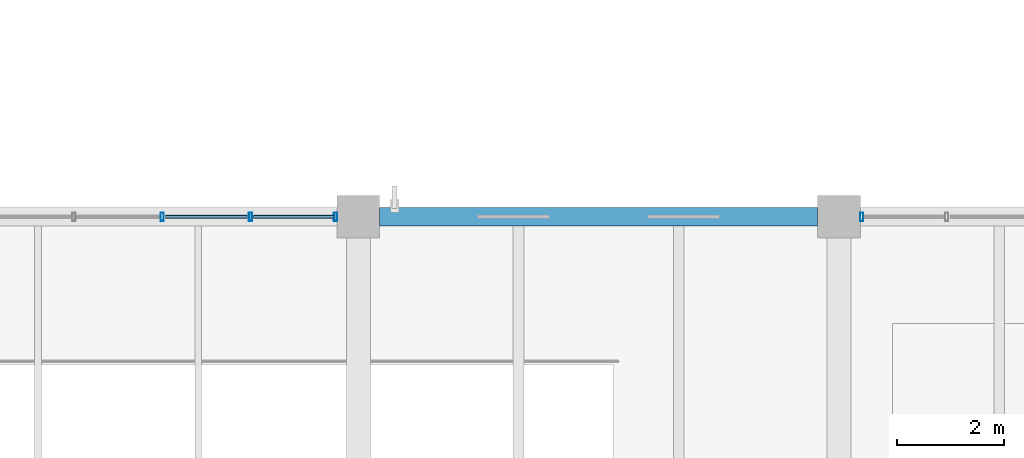
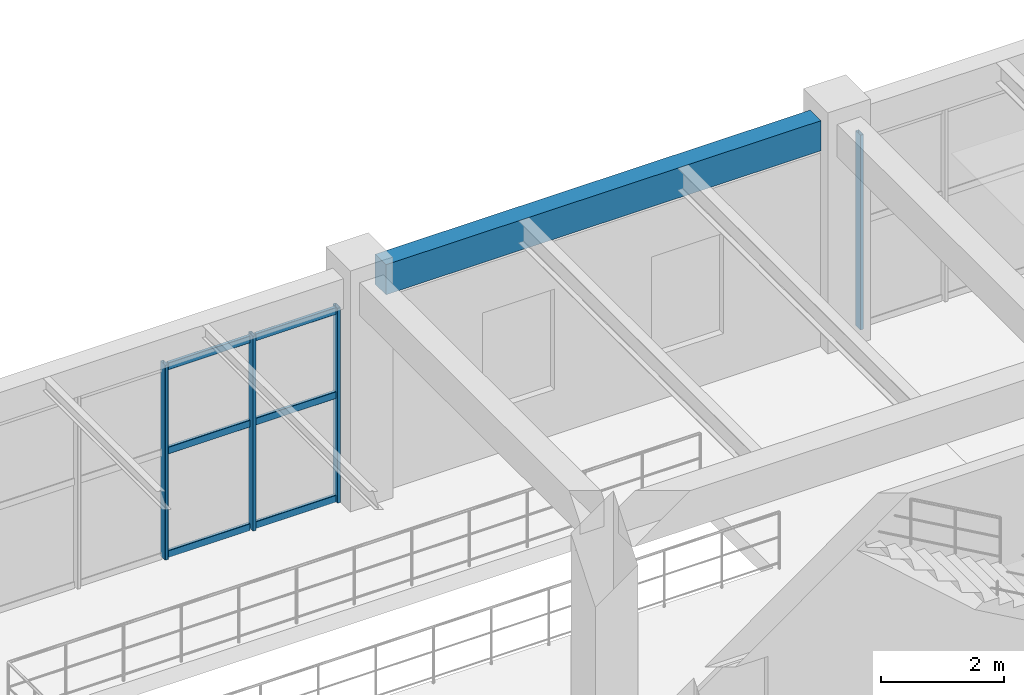
# One storey, part 52 of 178: 10 members, 1 beam, 2 elements without a shape of their own.
"""IFC4 building model written with IfcOpenShell, lengths in metres."""

from ifc_helpers import new_model, si_unit, derived_unit, direction, frame, origin, origin_2d, place, context, subcontext, project, spatial, rectangle, hollow_rectangle, extrude, material, material_profile, profile_set, type_object, element, aggregate, save


model = new_model("IFC4")

# Units and contexts
model_context = context("Model", 3, precision=1e-05, world=origin(), true_north=direction((0.0, 1.0)))
body_context = subcontext(model_context, "Body", "Model", "MODEL_VIEW")
ifc_project = project(units=[si_unit("LENGTHUNIT", "METRE"), si_unit("AREAUNIT", "SQUARE_METRE"), si_unit("VOLUMEUNIT", "CUBIC_METRE"), si_unit("PLANEANGLEUNIT", "RADIAN"), si_unit("MASSUNIT", "GRAM", prefix="KILO"), derived_unit("THERMALTRANSMITTANCEUNIT", [(si_unit("MASSUNIT", "GRAM", prefix="KILO"), 1), (si_unit("TIMEUNIT", "SECOND"), -3), (si_unit("THERMODYNAMICTEMPERATUREUNIT", "KELVIN"), -1)])], contexts=[model_context])

# Site, building, storey
site_placement = place(None, origin())
site = spatial("IfcSite", under=ifc_project, at=site_placement, CompositionType="ELEMENT")
building_placement = place(site_placement, origin())
building = spatial("IfcBuilding", under=site, at=building_placement, Name="Zhenchuan Archway Interchange", CompositionType="ELEMENT")
storey_placement = place(building_placement, frame((0.0, 0.0, 5.39990234375)))
storey = spatial("IfcBuildingStorey", under=building, at=storey_placement, Name="L01", CompositionType="ELEMENT", Elevation=5.39990234375)

# Curtain wall, members
ifc_material_1 = material(Name="Anodised Aluminium", Category="aluminium")
curtain_wall_type_1 = type_object("IfcCurtainWallType", Name="CW_UNIT_3", PredefinedType="NOTDEFINED", material=ifc_material_1)
curtain_wall_1_placement = place(storey_placement, origin())
curtain_wall_1 = element("IfcCurtainWall", 1, at=curtain_wall_1_placement, inside=storey, type_object=curtain_wall_type_1, Name="Unitised curtain wall CW:L01:102", PredefinedType="NOTDEFINED")
ifc_material_profile_1 = material_profile(ifc_material_1, hollow_rectangle(XDim=0.06005859375, YDim=0.159912109375, WallThickness=0.00390625, InnerFilletRadius=0.00390625, OuterFilletRadius=0.008056640625, at=origin_2d()), Name="ALU 160x60x4")
ifc_profile_set_1 = profile_set([ifc_material_profile_1], Name="Anodised Aluminium")
member_type_1 = type_object("IfcMemberType", Name="CW_MUL_150", PredefinedType="MULLION", material=ifc_profile_set_1)
member_1_placement = place(storey_placement, frame((113.326416015625, 24.0, 0.0), z_axis=(0.0, 0.0, 1.0), x_axis=(1.0, 0.0, 0.0)))
member_1 = element("IfcMember", 2, at=member_1_placement, type_object=member_type_1, Name="CW:L01:102 mullion 3", PredefinedType="MULLION", context=body_context, shape_type="SweptSolid", body=[
    extrude(hollow_rectangle(XDim=0.06005859375, YDim=0.159912109375, WallThickness=0.00390625, InnerFilletRadius=0.00390625, OuterFilletRadius=0.008056640625, at=origin_2d()), origin(), (0.0, 0.0, 1.0), 3.880126953125),
])
member_2_placement = place(storey_placement, frame((114.979248046875, 24.0, 0.0), z_axis=(0.0, 0.0, 1.0), x_axis=(1.0, 0.0, 0.0)))
member_2 = element("IfcMember", 3, at=member_2_placement, type_object=member_type_1, Name="CW:L01:102 mullion 4", PredefinedType="MULLION", context=body_context, shape_type="SweptSolid", body=[
    extrude(hollow_rectangle(XDim=0.06005859375, YDim=0.159912109375, WallThickness=0.00390625, InnerFilletRadius=0.00390625, OuterFilletRadius=0.008056640625, at=origin_2d()), origin(), (0.0, 0.0, 1.0), 3.880126953125),
])
member_3_placement = place(storey_placement, frame((116.572021484375, 24.0, 0.0), z_axis=(0.0, 0.0, 1.0), x_axis=(1.0, 0.0, 0.0)))
member_3 = element("IfcMember", 4, at=member_3_placement, type_object=member_type_1, Name="CW:L01:102 mullion 5", PredefinedType="MULLION", context=body_context, shape_type="SweptSolid", body=[
    extrude(hollow_rectangle(XDim=0.06005859375, YDim=0.159912109375, WallThickness=0.00390625, InnerFilletRadius=0.00390625, OuterFilletRadius=0.008056640625, at=origin_2d()), origin(), (0.0, 0.0, 1.0), 3.880126953125),
])

# Curtain wall, member
curtain_wall_type_2 = type_object("IfcCurtainWallType", Name="CW_UNIT_4", PredefinedType="NOTDEFINED", material=ifc_material_1)
curtain_wall_2_placement = place(storey_placement, origin())
curtain_wall_2 = element("IfcCurtainWall", 5, at=curtain_wall_2_placement, inside=storey, type_object=curtain_wall_type_2, Name="Unitised curtain wall CW:L01:103", PredefinedType="NOTDEFINED")
member_4_placement = place(storey_placement, frame((126.427978515625, 24.0, 0.0), z_axis=(0.0, 0.0, 1.0), x_axis=(1.0, 0.0, 0.0)))
member_4 = element("IfcMember", 6, at=member_4_placement, type_object=member_type_1, Name="CW:L01:103 mullion 0", PredefinedType="MULLION", context=body_context, shape_type="SweptSolid", body=[
    extrude(hollow_rectangle(XDim=0.06005859375, YDim=0.159912109375, WallThickness=0.00390625, InnerFilletRadius=0.00390625, OuterFilletRadius=0.008056640625, at=origin_2d()), origin(), (0.0, 0.0, 1.0), 3.880126953125),
])
aggregate(curtain_wall_2, [member_4])

# Member
ifc_material_profile_2 = material_profile(ifc_material_1, hollow_rectangle(XDim=0.06005859375, YDim=0.139892578125, WallThickness=0.00341796875, InnerFilletRadius=0.00341796875, OuterFilletRadius=0.007080078125, at=origin_2d()), Name="ALU 140x60x3.5")
ifc_profile_set_2 = profile_set([ifc_material_profile_2], Name="Anodised Aluminium")
member_type_2 = type_object("IfcMemberType", Name="CW_TRN_140", PredefinedType="USERDEFINED", material=ifc_profile_set_2)
member_5_placement = place(storey_placement, frame((113.386474609375, 24.0, 0.06005859375), z_axis=(1.0, 0.0, 0.0), x_axis=(0.0, 1.0, 0.0)))
member_5 = element("IfcMember", 7, at=member_5_placement, type_object=member_type_2, Name="CW:L01:102 transom 3-1", ObjectType="TRANSOM", PredefinedType="USERDEFINED", context=body_context, shape_type="SweptSolid", body=[
    extrude(hollow_rectangle(XDim=0.06005859375, YDim=0.139892578125, WallThickness=0.00341796875, InnerFilletRadius=0.00341796875, OuterFilletRadius=0.007080078125, at=origin_2d()), origin(), (0.0, 0.0, 1.0), 1.53271484375),
])

member_6_placement = place(storey_placement, frame((113.386474609375, 24.0, 2.123046875), z_axis=(1.0, 0.0, 0.0), x_axis=(0.0, 1.0, 0.0)))
member_6 = element("IfcMember", 8, at=member_6_placement, type_object=member_type_2, Name="CW:L01:102 transom 3-2", ObjectType="TRANSOM", PredefinedType="USERDEFINED", context=body_context, shape_type="SweptSolid", body=[
    extrude(hollow_rectangle(XDim=0.06005859375, YDim=0.139892578125, WallThickness=0.00341796875, InnerFilletRadius=0.00341796875, OuterFilletRadius=0.007080078125, at=origin_2d()), origin(), (0.0, 0.0, 1.0), 1.53271484375),
])

member_7_placement = place(storey_placement, frame((113.386474609375, 24.0, 3.800048828125), z_axis=(1.0, 0.0, 0.0), x_axis=(0.0, 1.0, 0.0)))
member_7 = element("IfcMember", 9, at=member_7_placement, type_object=member_type_2, Name="CW:L01:102 transom 3-3", ObjectType="TRANSOM", PredefinedType="USERDEFINED", context=body_context, shape_type="SweptSolid", body=[
    extrude(hollow_rectangle(XDim=0.06005859375, YDim=0.139892578125, WallThickness=0.00341796875, InnerFilletRadius=0.00341796875, OuterFilletRadius=0.007080078125, at=origin_2d()), origin(), (0.0, 0.0, 1.0), 1.53271484375),
])

member_8_placement = place(storey_placement, frame((115.039306640625, 24.0, 0.06005859375), z_axis=(1.0, 0.0, 0.0), x_axis=(0.0, 1.0, 0.0)))
member_8 = element("IfcMember", 10, at=member_8_placement, type_object=member_type_2, Name="CW:L01:102 transom 4-1", ObjectType="TRANSOM", PredefinedType="USERDEFINED", context=body_context, shape_type="SweptSolid", body=[
    extrude(hollow_rectangle(XDim=0.06005859375, YDim=0.139892578125, WallThickness=0.00341796875, InnerFilletRadius=0.00341796875, OuterFilletRadius=0.007080078125, at=origin_2d()), origin(), (0.0, 0.0, 1.0), 1.5126953125),
])

member_9_placement = place(storey_placement, frame((115.039306640625, 24.0, 2.123046875), z_axis=(1.0, 0.0, 0.0), x_axis=(0.0, 1.0, 0.0)))
member_9 = element("IfcMember", 11, at=member_9_placement, type_object=member_type_2, Name="CW:L01:102 transom 4-2", ObjectType="TRANSOM", PredefinedType="USERDEFINED", context=body_context, shape_type="SweptSolid", body=[
    extrude(hollow_rectangle(XDim=0.06005859375, YDim=0.139892578125, WallThickness=0.00341796875, InnerFilletRadius=0.00341796875, OuterFilletRadius=0.007080078125, at=origin_2d()), origin(), (0.0, 0.0, 1.0), 1.5126953125),
])

member_10_placement = place(storey_placement, frame((115.039306640625, 24.0, 3.800048828125), z_axis=(1.0, 0.0, 0.0), x_axis=(0.0, 1.0, 0.0)))
member_10 = element("IfcMember", 12, at=member_10_placement, type_object=member_type_2, Name="CW:L01:102 transom 4-3", ObjectType="TRANSOM", PredefinedType="USERDEFINED", context=body_context, shape_type="SweptSolid", body=[
    extrude(hollow_rectangle(XDim=0.06005859375, YDim=0.139892578125, WallThickness=0.00341796875, InnerFilletRadius=0.00341796875, OuterFilletRadius=0.007080078125, at=origin_2d()), origin(), (0.0, 0.0, 1.0), 1.5126953125),
])

aggregate(curtain_wall_1, [member_1, member_2, member_3, member_5, member_6, member_7, member_8, member_9, member_10])

# Beam
ifc_material_2 = material(Name="Concrete C40", Category="concrete")
ifc_material_profile_3 = material_profile(ifc_material_2, rectangle(XDim=0.35009765625, YDim=0.60009765625, at=origin_2d()), Name="RC 350x600")
ifc_profile_set_3 = profile_set([ifc_material_profile_3], Name="Concrete C40")
beam_type = type_object("IfcBeamType", Name="SP_RC_350x600", PredefinedType="SPANDREL", material=ifc_profile_set_3)
beam_placement = place(storey_placement, frame((117.39990234375, 24.0, 4.210205078125), z_axis=(1.0, 0.0, 0.0), x_axis=(0.0, 1.0, 0.0)))
element("IfcBeam", 13, at=beam_placement, inside=storey, type_object=beam_type, Name="Beam D:14-15 (L01)", PredefinedType="SPANDREL", context=body_context, shape_type="SweptSolid", body=[
    extrude(rectangle(XDim=0.35009765625, YDim=0.60009765625, at=origin_2d()), origin(), (0.0, 0.0, 1.0), 8.2001953125),
])

save(model, "model.ifc")
